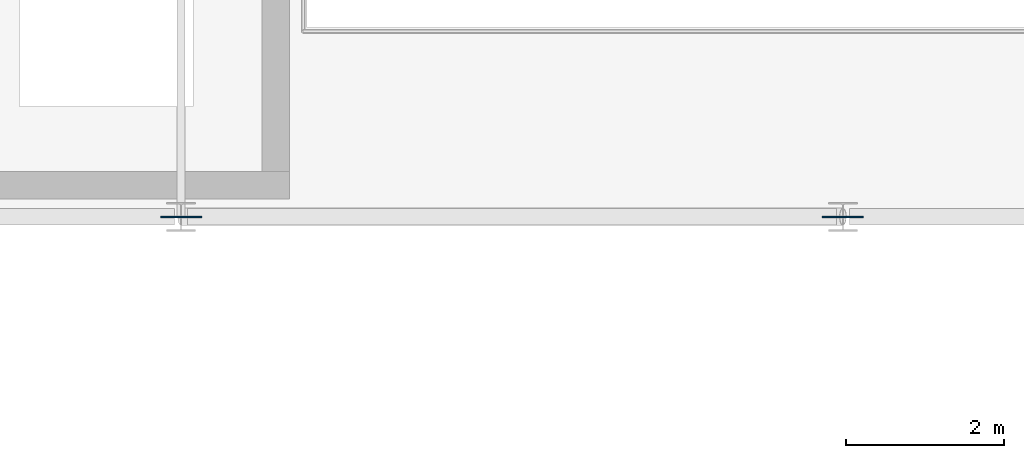
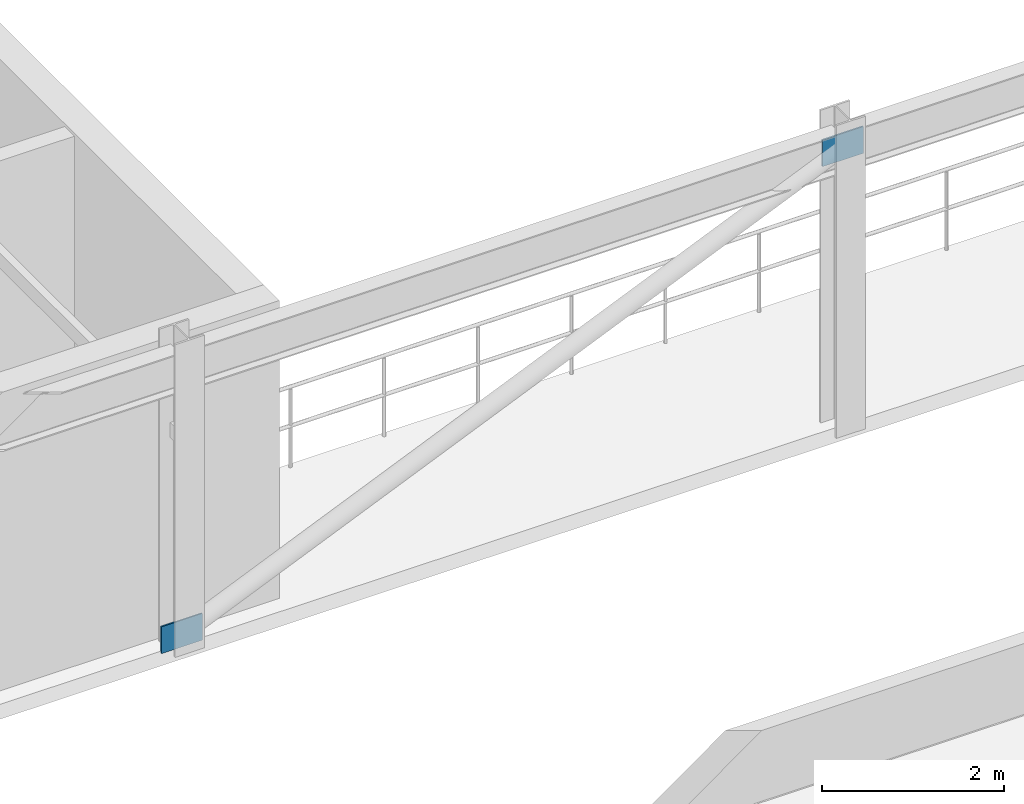
# One storey, part 35 of 54: 2 plates.
"""IFC4 building model written with IfcOpenShell, lengths in metres."""

from ifc_helpers import new_model, si_unit, direction, frame, origin, origin_2d, place, context, subcontext, project, spatial, rectangle, extrude, material, layer, layer_set, type_object, element, save


model = new_model("IFC4")

# Units and contexts
model_context = context("Model", 3, precision=1e-05, world=origin(), true_north=direction((0.0, 1.0)))
body_context = subcontext(model_context, "Body", "Model", "MODEL_VIEW")
ifc_project = project(units=[si_unit("LENGTHUNIT", "METRE"), si_unit("AREAUNIT", "SQUARE_METRE"), si_unit("VOLUMEUNIT", "CUBIC_METRE"), si_unit("PLANEANGLEUNIT", "RADIAN"), si_unit("MASSUNIT", "GRAM", prefix="KILO")], contexts=[model_context])

# Site, building, storey
site_placement = place(None, origin())
site = spatial("IfcSite", under=ifc_project, at=site_placement, CompositionType="ELEMENT")
building_placement = place(site_placement, origin())
building = spatial("IfcBuilding", under=site, at=building_placement, Name="Selat Folded Stagehouse", CompositionType="ELEMENT")
storey_placement = place(building_placement, frame((0.0, 0.0, 15.0)))
storey = spatial("IfcBuildingStorey", under=building, at=storey_placement, Name="L03", CompositionType="ELEMENT", Elevation=15.0)

# Plates
ifc_material = material(Name="Steel S355", Category="steel")
ifc_layer = layer(ifc_material, 0.01806640625)
ifc_layer_set = layer_set([ifc_layer], Name="Steel S355")
plate_type = type_object("IfcPlateType", Name="PLT-GUSSET-520x360x18", PredefinedType="USERDEFINED", material=ifc_layer_set)
for number, where, z_axis, x_axis, name in (
    (1, (42.0, 23.39990234375, -0.0302734375), (0.0, 0.0, 1.0), (1.0, 0.0, 0.0), "L03 VBR-04 end gusset plate 55"),
    (2, (50.39990234375, 23.39990234375, 3.56982421875), (0.0, 0.0, 1.0), (1.0, 0.0, 0.0), "L03 VBR-04 end gusset plate 56"),
):
    element("IfcPlate", number, at=place(storey_placement, frame(where, z_axis=z_axis, x_axis=x_axis)), inside=storey, type_object=plate_type, Name=name, ObjectType="GUSSET_PLATE", PredefinedType="USERDEFINED", context=body_context, shape_type="SweptSolid", body=[
        extrude(rectangle(XDim=0.52001953125, YDim=0.01806640625, at=origin_2d()), origin(), (0.0, 0.0, 1.0), 0.360107421875),
    ])

save(model, "model.ifc")
